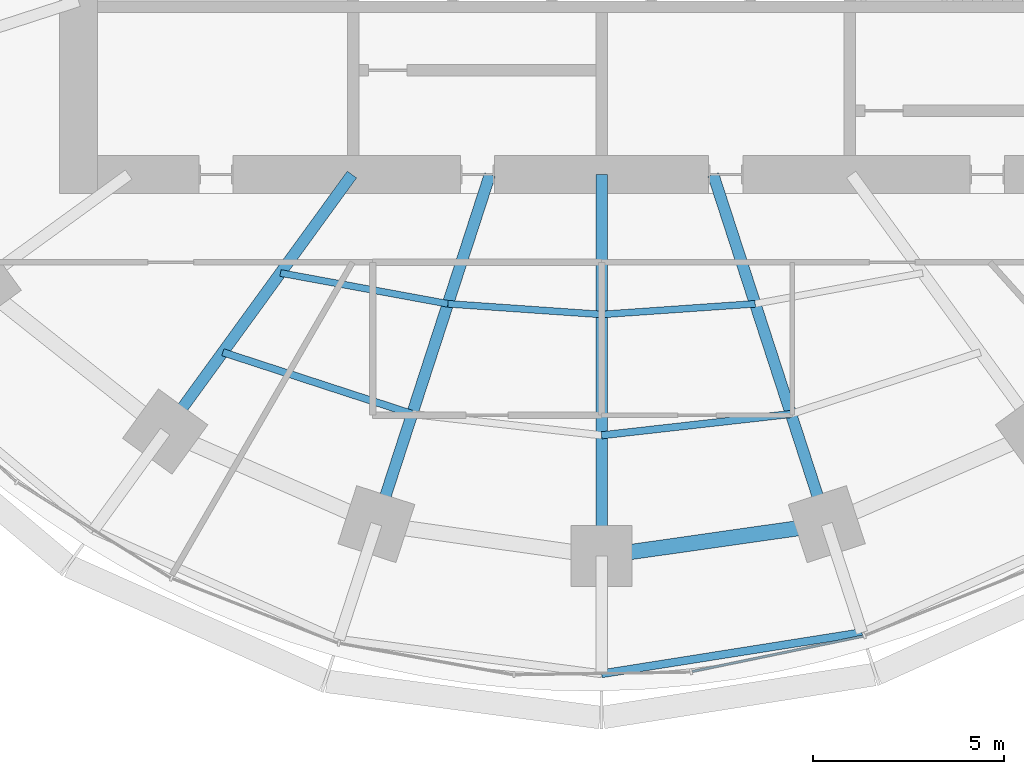
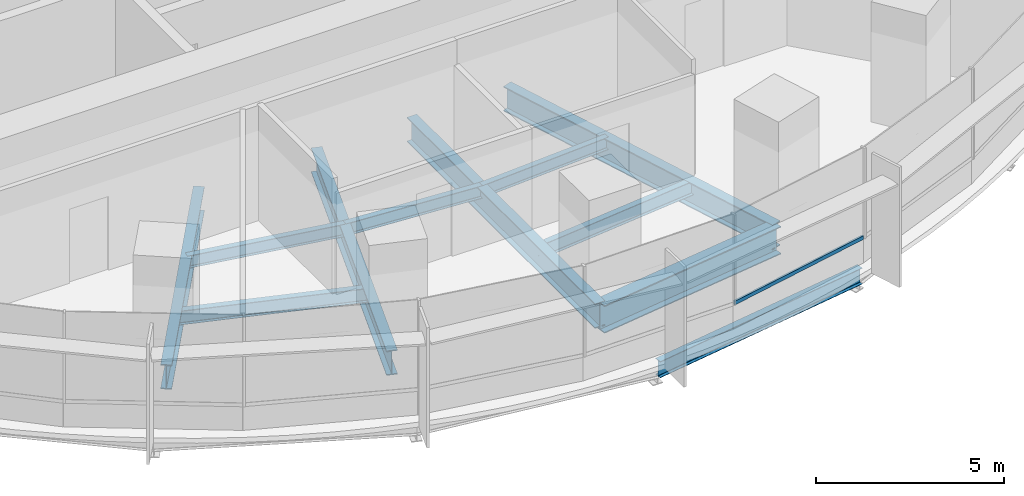
# One storey, part 3 of 14: 11 beams, 1 member, 1 element without a shape of its own.
"""IFC4 building model written with IfcOpenShell, lengths in metres."""

import ifcopenshell
import ifcopenshell.guid

model = None  # the IFC model being written
_history = None  # IfcOwnerHistory: only IFC2X3 demands one
_inside = {}  # id of a spatial element -> (the spatial element, [elements in it])
_under = {}  # id of a project, library or spatial element -> (it, [spatial elements below it])
_declared = {}  # id of a project -> (the project, [libraries it declares])
_typed = {}  # id of a type object -> (the type object, [elements of that type])
_made_of = {}  # id of a material, layer set ... -> (it, [elements and type objects made of it])


def new_model(schema):
    """Start an empty IFC model of exactly this schema.

    Asked for "IFC4X3", IfcOpenShell would pick the latest addendum, in which some entities
    have other attributes; the version numbers below select the first issue.
    IFC2X3 requires an IfcOwnerHistory on every rooted entity: one is made here for all.
    """
    global model, _history
    if schema == "IFC4X3":
        model = ifcopenshell.file(schema_version=(4, 3, 0, 0))
    else:
        model = ifcopenshell.file(schema=schema)
    _inside.clear()
    _under.clear()
    _declared.clear()
    _typed.clear()
    _made_of.clear()
    _history = None
    if model.schema == "IFC2X3":
        org = make("IfcOrganization", Name="unknown")
        user = make(
            "IfcPersonAndOrganization",
            ThePerson=make("IfcPerson", FamilyName="unknown"),
            TheOrganization=org,
        )
        app = make(
            "IfcApplication",
            ApplicationDeveloper=org,
            Version="unknown",
            ApplicationFullName="unknown",
            ApplicationIdentifier="unknown",
        )
        _history = make(
            "IfcOwnerHistory",
            OwningUser=user,
            OwningApplication=app,
            ChangeAction="ADDED",
            CreationDate=0,
        )
    return model


def make(cls, **values):
    """One entity of the class cls with the attributes given. An attribute that is None is left unset."""
    return model.create_entity(
        cls, **{name: value for name, value in values.items() if value is not None}
    )


def rooted(cls, **values):
    """An entity with a GlobalId (a new one), such as an element, a storey or a relation."""
    return make(cls, GlobalId=ifcopenshell.guid.new(), OwnerHistory=_history, **values)


def si_unit(unit_type, name, prefix=None):
    """IfcSIUnit, for example si_unit("LENGTHUNIT", "METRE", prefix="MILLI")."""
    return make("IfcSIUnit", UnitType=unit_type, Prefix=prefix, Name=name)


def assignment(units):
    """IfcUnitAssignment: the units of a project."""
    return None if units is None else make("IfcUnitAssignment", Units=units)


def point(xyz):
    """IfcCartesianPoint."""
    return None if xyz is None else make("IfcCartesianPoint", Coordinates=xyz)


def direction(xyz):
    """IfcDirection."""
    return None if xyz is None else make("IfcDirection", DirectionRatios=xyz)


def frame(location, z_axis=None, x_axis=None):
    """IfcAxis2Placement3D, a coordinate frame: its origin and axes. An axis left out is left unset."""
    return make(
        "IfcAxis2Placement3D",
        Location=point(location),
        Axis=direction(z_axis),
        RefDirection=direction(x_axis),
    )


def frame_2d(location, x_axis=None):
    """IfcAxis2Placement2D, a coordinate frame in the plane: its origin and x axis."""
    return make(
        "IfcAxis2Placement2D", Location=point(location), RefDirection=direction(x_axis)
    )


def origin():
    """The frame at (0, 0, 0) with its axes left unset."""
    return frame((0.0, 0.0, 0.0))


def origin_2d():
    """The frame at (0, 0) in the plane with its x axis left unset."""
    return frame_2d((0.0, 0.0))


def place(relative_to, where):
    """IfcLocalPlacement: puts the frame where relative to a parent placement (None: the world)."""
    return make(
        "IfcLocalPlacement", PlacementRelTo=relative_to, RelativePlacement=where
    )


def context(
    kind, dimensions, precision=None, world=None, true_north=None, identifier=None
):
    """IfcGeometricRepresentationContext, for example the 3D "Model" context."""
    return make(
        "IfcGeometricRepresentationContext",
        ContextIdentifier=identifier,
        ContextType=kind,
        CoordinateSpaceDimension=dimensions,
        Precision=precision,
        WorldCoordinateSystem=world,
        TrueNorth=true_north,
    )


def subcontext(parent, identifier, kind, view, scale=None):
    """IfcGeometricRepresentationSubContext, for example "Body" below "Model"."""
    return make(
        "IfcGeometricRepresentationSubContext",
        ContextIdentifier=identifier,
        ContextType=kind,
        ParentContext=parent,
        TargetScale=scale,
        TargetView=view,
    )


def project(units=None, contexts=None):
    """IfcProject with its units and contexts."""
    return rooted(
        "IfcProject",
        Name="project",
        RepresentationContexts=contexts,
        UnitsInContext=assignment(units),
    )


def spatial(cls, under=None, at=None, **own):
    """A site, building, storey or space (cls), placed at a placement, below another one or the project."""
    s = rooted(cls, ObjectPlacement=at, **own)
    if under is not None:
        _under.setdefault(under.id(), (under, []))[1].append(s)
    return s


def profile(cls, at=None, kind="AREA", **sizes):
    """A parametric profile (cls). Its sizes go by their IFC names, for example OverallWidth=200.0."""
    return make(cls, ProfileType=kind, Position=at, **sizes)


def rectangle(**sizes):
    """IfcRectangleProfileDef."""
    return profile("IfcRectangleProfileDef", **sizes)


def i_section(**sizes):
    """IfcIShapeProfileDef."""
    return profile("IfcIShapeProfileDef", **sizes)


def extrude(swept, where, along, depth):
    """IfcExtrudedAreaSolid: the profile swept, set in the frame where, extruded along a direction by depth."""
    return make(
        "IfcExtrudedAreaSolid",
        SweptArea=swept,
        Position=where,
        ExtrudedDirection=direction(along),
        Depth=depth,
    )


def shape(context_of_items, identifier, shape_type, items):
    """IfcShapeRepresentation: the items that make up one representation, for example the "Body"."""
    return make(
        "IfcShapeRepresentation",
        ContextOfItems=context_of_items,
        RepresentationIdentifier=identifier,
        RepresentationType=shape_type,
        Items=items,
    )


def material(Name=None, Category=None):
    """IfcMaterial."""
    return make("IfcMaterial", Name=Name, Category=Category)


def material_profile(
    of_material, cross_section, Name=None, Category=None, Priority=None
):
    """IfcMaterialProfile: a cross section and its material."""
    return make(
        "IfcMaterialProfile",
        Name=Name,
        Material=of_material,
        Profile=cross_section,
        Priority=Priority,
        Category=Category,
    )


def profile_set(profiles, Name=None, composite=None):
    """IfcMaterialProfileSet."""
    return make(
        "IfcMaterialProfileSet",
        Name=Name,
        MaterialProfiles=profiles,
        CompositeProfile=composite,
    )


def made_of(thing, what):
    """Note that an element or type object is made of a material, layer set ...; save() writes the relation."""
    if what is not None:
        _made_of.setdefault(what.id(), (what, []))[1].append(thing)
    return thing


def type_object(cls, material=None, **own):
    """A type object (cls), such as IfcWallType, which elements share."""
    return made_of(rooted(cls, **own), material)


def element(
    cls,
    number,
    at=None,
    inside=None,
    cuts=None,
    type_object=None,
    material=None,
    context=None,
    identifier="Body",
    shape_type=None,
    held_by="IfcProductDefinitionShape",
    body=None,
    shapes=None,
    **own,
):
    """One element of the class cls, such as IfcWall. Its Tag is "e" and its number.

    at: its placement. inside: the storey or other place that contains it. cuts: it is an
    opening in that element (IfcRelVoidsElement). A single representation is given by context,
    identifier, shape_type and body (its items); several are given by shapes. held_by: the class
    of the entity that holds the representations. save() writes the other relations.
    """
    e = rooted(cls, Tag="e%d" % number, ObjectPlacement=at, **own)
    if body is not None:
        shapes = [shape(context, identifier, shape_type, body)]
    if shapes is not None:
        e.Representation = make(held_by, Representations=shapes)
    if inside is not None:
        _inside.setdefault(inside.id(), (inside, []))[1].append(e)
    if cuts is not None:
        rooted(
            "IfcRelVoidsElement", RelatingBuildingElement=cuts, RelatedOpeningElement=e
        )
    if type_object is not None:
        _typed.setdefault(type_object.id(), (type_object, []))[1].append(e)
    return made_of(e, material)


def aggregate(whole, parts):
    """IfcRelAggregates: a whole, such as a stair, and the parts it consists of."""
    return rooted("IfcRelAggregates", RelatingObject=whole, RelatedObjects=parts)


def save(model, path):
    """Write the relations noted so far, then the file.

    IfcRelAggregates (storeys below a building ...), IfcRelContainedInSpatialStructure (elements
    in a storey), IfcRelDefinesByType, IfcRelAssociatesMaterial and IfcRelDeclares: one each for
    every whole, place, type object, material and project.
    """
    for whole, parts in _under.values():
        aggregate(whole, parts)
    for where, things in _inside.values():
        rooted(
            "IfcRelContainedInSpatialStructure",
            RelatedElements=things,
            RelatingStructure=where,
        )
    for kind, things in _typed.values():
        rooted("IfcRelDefinesByType", RelatedObjects=things, RelatingType=kind)
    for what, things in _made_of.values():
        rooted("IfcRelAssociatesMaterial", RelatedObjects=things, RelatingMaterial=what)
    for by, libraries in _declared.values():
        rooted("IfcRelDeclares", RelatingContext=by, RelatedDefinitions=libraries)
    model.write(path)


model = new_model("IFC4")

# Units and contexts
model_context = context("Model", 3, precision=1e-05, world=origin(), true_north=direction((0.0, 1.0)))
body_context = subcontext(model_context, "Body", "Model", "MODEL_VIEW")
ifc_project = project(units=[si_unit("LENGTHUNIT", "METRE"), si_unit("AREAUNIT", "SQUARE_METRE"), si_unit("VOLUMEUNIT", "CUBIC_METRE"), si_unit("PLANEANGLEUNIT", "RADIAN"), si_unit("MASSUNIT", "GRAM", prefix="KILO")], contexts=[model_context])

# Site, building, storey
site_placement = place(None, origin())
site = spatial("IfcSite", under=ifc_project, at=site_placement, CompositionType="ELEMENT")
building_placement = place(site_placement, origin())
building = spatial("IfcBuilding", under=site, at=building_placement, Name="Marramba Exchange Tower", CompositionType="ELEMENT")
storey_placement = place(building_placement, frame((0.0, 0.0, 123.60009765625)))
storey = spatial("IfcBuildingStorey", under=building, at=storey_placement, Name="L29", CompositionType="ELEMENT", Elevation=123.60009765625)

# Beams
ifc_material_1 = material(Name="Steel AS/NZS 3679.1 grade 300", Category="steel")
ifc_material_profile_1 = material_profile(ifc_material_1, i_section(OverallWidth=0.177978515625, OverallDepth=0.406005859375, WebThickness=0.0078125, FlangeThickness=0.0126953125, FilletRadius=0.011474609375, at=origin_2d()), Name="410UB59.7")
ifc_profile_set_1 = profile_set([ifc_material_profile_1], Name="Steel AS/NZS 3679.1 grade 300")
beam_type_1 = type_object("IfcBeamType", Name="Floor joist 410UB59.7", PredefinedType="JOIST", material=ifc_profile_set_1)
beam_1_placement = place(storey_placement, frame((-8.41162109375, -11.57763671875, -0.363037109375), z_axis=(0.983455754421, -0.181148500119, 0.0), x_axis=(0.181148500119, 0.983455754421, 0.0)))
element("IfcBeam", 1, at=beam_1_placement, inside=storey, type_object=beam_type_1, Name="Joist L29 bay 14 row 1", PredefinedType="JOIST", context=body_context, shape_type="SweptSolid", body=[
    extrude(i_section(OverallWidth=0.177978515625, OverallDepth=0.406005859375, WebThickness=0.0078125, FlangeThickness=0.0126953125, FilletRadius=0.011474609375, at=origin_2d()), origin(), (0.0, 0.0, 1.0), 4.4609375),
])
for number, where, z_axis, x_axis, name in (
    (2, (-4.0244140625, -12.3857421875, -0.363037109375), (0.99759625901, -0.069294328838, 0.0), (0.069294328838, 0.99759625901, 0.0), "Joist L29 bay 15 row 1"),
    (3, (0.0, -12.665283203125, -0.363037109375), (0.99759625901, 0.069294328838, 0.0), (-0.069294328838, 0.99759625901, 0.0), "Joist L29 bay 16 row 1"),
):
    element("IfcBeam", number, at=place(storey_placement, frame(where, z_axis=z_axis, x_axis=x_axis)), inside=storey, type_object=beam_type_1, Name=name, PredefinedType="JOIST", context=body_context, shape_type="SweptSolid", body=[
        extrude(i_section(OverallWidth=0.177978515625, OverallDepth=0.406005859375, WebThickness=0.0078125, FlangeThickness=0.0126953125, FilletRadius=0.011474609375, at=origin_2d()), origin(), (0.0, 0.0, 1.0), 4.0341796875),
    ])
ifc_material_profile_2 = material_profile(ifc_material_1, i_section(OverallWidth=0.18994140625, OverallDepth=0.4541015625, WebThickness=0.008544921875, FlangeThickness=0.0126953125, FilletRadius=0.011474609375, at=origin_2d()), Name="460UB67.1")
ifc_profile_set_2 = profile_set([ifc_material_profile_2], Name="Steel AS/NZS 3679.1 grade 300")
beam_type_2 = type_object("IfcBeamType", Name="Floor joist 460UB67.1", PredefinedType="JOIST", material=ifc_profile_set_2)
beam_2_placement = place(storey_placement, frame((-9.9208984375, -13.655029296875, -0.38720703125), z_axis=(0.950764024931, -0.309915744834, 0.0), x_axis=(0.309915744834, 0.950764024931, 0.0)))
element("IfcBeam", 4, at=beam_2_placement, inside=storey, type_object=beam_type_2, Name="Joist L29 bay 14 row 2", PredefinedType="JOIST", context=body_context, shape_type="SweptSolid", body=[
    extrude(i_section(OverallWidth=0.18994140625, OverallDepth=0.4541015625, WebThickness=0.008544921875, FlangeThickness=0.0126953125, FilletRadius=0.011474609375, at=origin_2d()), origin(), (0.0, 0.0, 1.0), 5.2158203125),
])
beam_3_placement = place(storey_placement, frame((0.0, -15.83056640625, -0.38720703125), z_axis=(0.993712018573, 0.111966174106, 0.0), x_axis=(-0.111966174106, 0.993712018573, 0.0)))
element("IfcBeam", 5, at=beam_3_placement, inside=storey, type_object=beam_type_2, Name="Joist L29 bay 16 row 2", PredefinedType="JOIST", context=body_context, shape_type="SweptSolid", body=[
    extrude(i_section(OverallWidth=0.18994140625, OverallDepth=0.4541015625, WebThickness=0.008544921875, FlangeThickness=0.0126953125, FilletRadius=0.011474609375, at=origin_2d()), origin(), (0.0, 0.0, 1.0), 4.993408203125),
])

# Curtain wall, member
ifc_material_2 = material(Name="Aluminium framing, bronze anodised", Category="aluminium")
curtain_wall_type = type_object("IfcCurtainWallType", Name="Office ribbon curtain wall", PredefinedType="USERDEFINED", material=ifc_material_2)
curtain_wall_placement = place(storey_placement, origin())
curtain_wall = element("IfcCurtainWall", 6, at=curtain_wall_placement, inside=storey, type_object=curtain_wall_type, Name="Curtain wall CW4 L29 F21-F25", ObjectType="RIBBON CURTAIN WALL", PredefinedType="USERDEFINED")
ifc_material_3 = material(Name="Aluminium transom, bronze anodised", Category="aluminium")
ifc_material_profile_3 = material_profile(ifc_material_3, rectangle(XDim=0.06005859375, YDim=0.1201171875, at=origin_2d()), Name="CW4 transom 60x120")
ifc_profile_set_3 = profile_set([ifc_material_profile_3], Name="Aluminium transom, bronze anodised")
member_type = type_object("IfcMemberType", Name="Office ribbon curtain wall transom", PredefinedType="USERDEFINED", material=ifc_profile_set_3)
member_placement = place(storey_placement, frame((2.374267578125, -22.017822265625, 0.829833984375), z_axis=(0.979310422034, 0.202363774661, 0.0), x_axis=(-0.202363774661, 0.979310422034, 0.0)))
member = element("IfcMember", 7, at=member_placement, type_object=member_type, Name="CW4 sill transom", ObjectType="TRANSOM", PredefinedType="USERDEFINED", context=body_context, shape_type="SweptSolid", body=[
    extrude(rectangle(XDim=0.06005859375, YDim=0.1201171875, at=origin_2d()), origin(), (0.0, 0.0, 1.0), 4.57373046875),
])
aggregate(curtain_wall, [member])

# Beams
ifc_material_4 = material(Name="Steel AS/NZS 3679.2 grade 300", Category="steel")
ifc_material_profile_4 = material_profile(ifc_material_4, i_section(OverallWidth=0.300048828125, OverallDepth=0.800048828125, WebThickness=0.013916015625, FlangeThickness=0.031982421875, at=origin_2d()), Name="800WB192")
ifc_profile_set_4 = profile_set([ifc_material_profile_4], Name="Steel AS/NZS 3679.2 grade 300")
beam_type_3 = type_object("IfcBeamType", Name="Radial girder 800WB192", PredefinedType="BEAM", material=ifc_profile_set_4)
beam_4_placement = place(storey_placement, frame((-6.538818359375, -9.0, -0.56005859375), z_axis=(-0.587787877172, -0.809015087282, 0.0), x_axis=(0.809015087282, -0.587787877172, 0.0)))
element("IfcBeam", 8, at=beam_4_placement, inside=storey, type_object=beam_type_3, Name="Radial girder L29 TC14", PredefinedType="BEAM", context=body_context, shape_type="SweptSolid", body=[
    extrude(i_section(OverallWidth=0.300048828125, OverallDepth=0.800048828125, WebThickness=0.013916015625, FlangeThickness=0.031982421875, at=origin_2d()), origin(), (0.0, 0.0, 1.0), 8.322021484375),
])
beam_5_placement = place(storey_placement, frame((-2.92431640625, -9.0, -0.56005859375), z_axis=(-0.309022428985, -0.951054750466, 0.0), x_axis=(0.951054750466, -0.309022428985, 0.0)))
element("IfcBeam", 9, at=beam_5_placement, inside=storey, type_object=beam_type_3, Name="Radial girder L29 TC15", PredefinedType="BEAM", context=body_context, shape_type="SweptSolid", body=[
    extrude(i_section(OverallWidth=0.300048828125, OverallDepth=0.800048828125, WebThickness=0.013916015625, FlangeThickness=0.031982421875, at=origin_2d()), origin(), (0.0, 0.0, 1.0), 9.628173828125),
])
beam_6_placement = place(storey_placement, frame((0.0, -9.0, -0.56005859375), z_axis=(0.0, -1.0, 0.0), x_axis=(1.0, 0.0, 0.0)))
element("IfcBeam", 10, at=beam_6_placement, inside=storey, type_object=beam_type_3, Name="Radial girder L29 TC16", PredefinedType="BEAM", context=body_context, shape_type="SweptSolid", body=[
    extrude(i_section(OverallWidth=0.300048828125, OverallDepth=0.800048828125, WebThickness=0.013916015625, FlangeThickness=0.031982421875, at=origin_2d()), origin(), (0.0, 0.0, 1.0), 9.99609375),
])
beam_7_placement = place(storey_placement, frame((2.92431640625, -9.0, -0.56005859375), z_axis=(0.309022428985, -0.951054750466, 0.0), x_axis=(0.951054750466, 0.309022428985, 0.0)))
element("IfcBeam", 11, at=beam_7_placement, inside=storey, type_object=beam_type_3, Name="Radial girder L29 TC17", PredefinedType="BEAM", context=body_context, shape_type="SweptSolid", body=[
    extrude(i_section(OverallWidth=0.300048828125, OverallDepth=0.800048828125, WebThickness=0.013916015625, FlangeThickness=0.031982421875, at=origin_2d()), origin(), (0.0, 0.0, 1.0), 9.628173828125),
])
ifc_material_profile_5 = material_profile(ifc_material_4, i_section(OverallWidth=0.39990234375, OverallDepth=0.89990234375, WebThickness=0.01611328125, FlangeThickness=0.031982421875, at=origin_2d()), Name="900WB282")
ifc_profile_set_5 = profile_set([ifc_material_profile_5], Name="Steel AS/NZS 3679.2 grade 300")
beam_type_4 = type_object("IfcBeamType", Name="Ring beam 900WB282", PredefinedType="SPANDREL", material=ifc_profile_set_5)
beam_8_placement = place(storey_placement, frame((0.0, -18.99609375, -0.610107421875), z_axis=(0.990036163016, 0.140813337152, 0.0), x_axis=(-0.140813337152, 0.990036163016, 0.0)))
element("IfcBeam", 12, at=beam_8_placement, inside=storey, type_object=beam_type_4, Name="Ring beam L29 TC16-TC17", PredefinedType="SPANDREL", context=body_context, shape_type="SweptSolid", body=[
    extrude(i_section(OverallWidth=0.39990234375, OverallDepth=0.89990234375, WebThickness=0.01611328125, FlangeThickness=0.031982421875, at=origin_2d()), origin(), (0.0, 0.0, 1.0), 5.958984375),
])
ifc_material_profile_6 = material_profile(ifc_material_1, i_section(OverallWidth=0.208984375, OverallDepth=0.528076171875, WebThickness=0.009521484375, FlangeThickness=0.01318359375, FilletRadius=0.013916015625, at=origin_2d()), Name="530UB82.0")
ifc_profile_set_6 = profile_set([ifc_material_profile_6], Name="Steel AS/NZS 3679.1 grade 300")
beam_type_5 = type_object("IfcBeamType", Name="Slab edge beam 530UB82.0", PredefinedType="SPANDREL", material=ifc_profile_set_6)
beam_9_placement = place(storey_placement, frame((0.0, -22.076904296875, -0.424072265625), z_axis=(0.987705008555, 0.15632919137, 0.0), x_axis=(-0.15632919137, 0.987705008555, 0.0)))
element("IfcBeam", 13, at=beam_9_placement, inside=storey, type_object=beam_type_5, Name="Slab edge beam L29 TC16-TC17", PredefinedType="SPANDREL", context=body_context, shape_type="SweptSolid", body=[
    extrude(i_section(OverallWidth=0.208984375, OverallDepth=0.528076171875, WebThickness=0.009521484375, FlangeThickness=0.01318359375, FilletRadius=0.013916015625, at=origin_2d()), origin(), (0.0, 0.0, 1.0), 6.907470703125),
])

save(model, "model.ifc")
